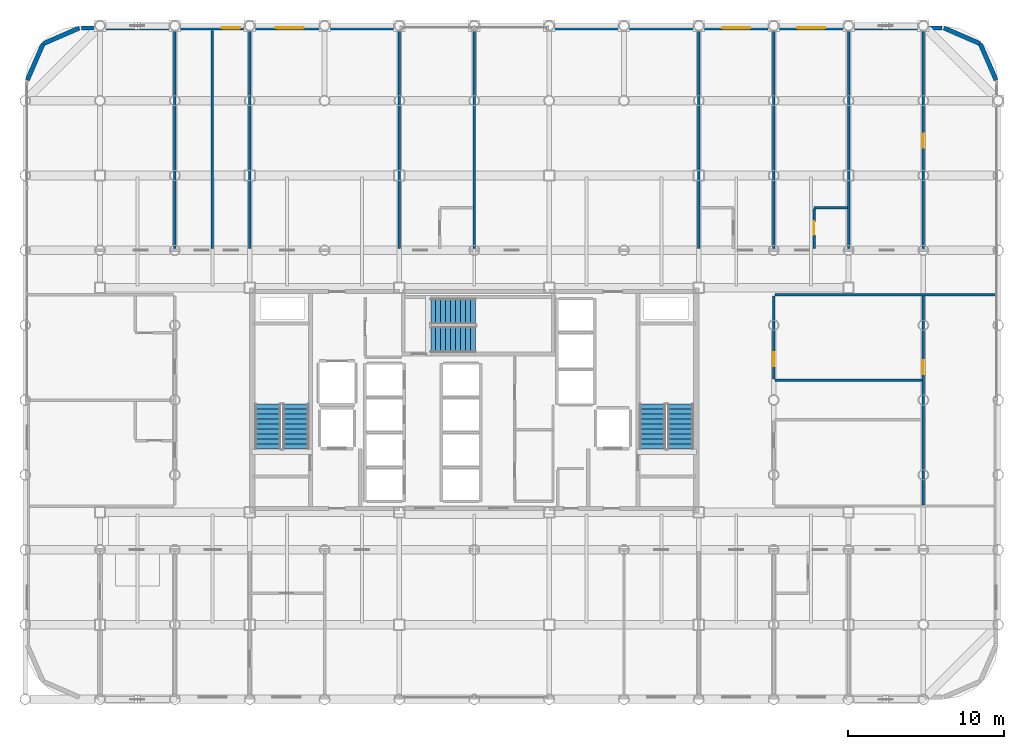
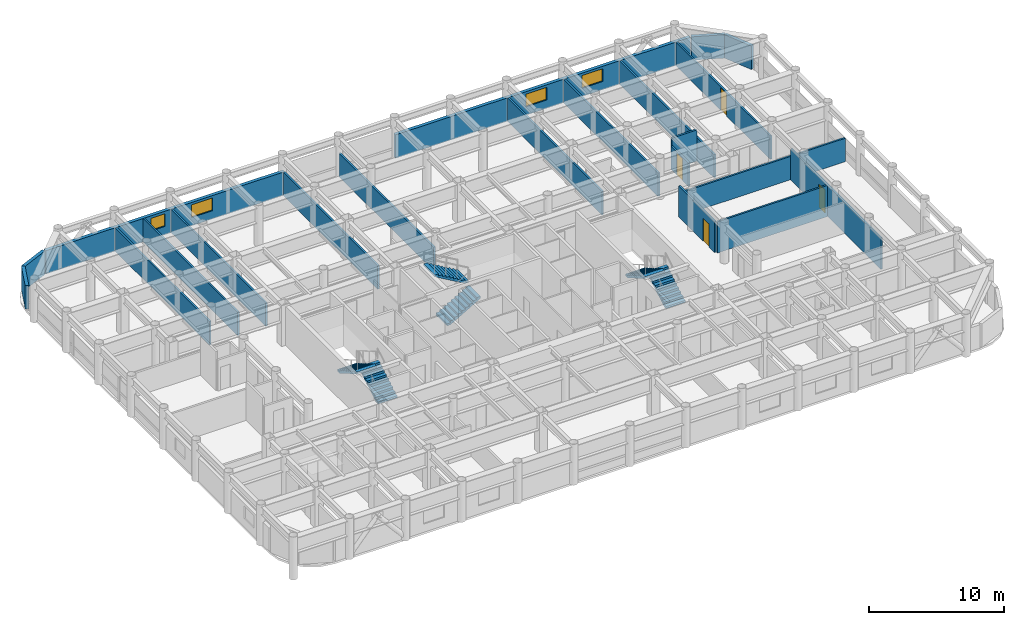
# One storey, part 20 of 22: 21 walls, 6 stair flights, 4 doors, 4 windows, 8 openings, 3 elements without a shape of their own.
"""IFC4 building model written with IfcOpenShell, lengths in metres."""

from ifc_helpers import new_model, si_unit, direction, frame, frame_2d, origin, place, context, subcontext, project, spatial, polyline, rectangle, outline, extrude, material, layer, layer_set, type_object, element, fill, aggregate, save


model = new_model("IFC4")

# Units and contexts
model_context = context("Model", 3, precision=1e-05, world=origin(), true_north=direction((0.0, 1.0)))
body_context = subcontext(model_context, "Body", "Model", "MODEL_VIEW")
ifc_project = project(units=[si_unit("LENGTHUNIT", "METRE"), si_unit("AREAUNIT", "SQUARE_METRE"), si_unit("VOLUMEUNIT", "CUBIC_METRE"), si_unit("PLANEANGLEUNIT", "RADIAN"), si_unit("MASSUNIT", "GRAM", prefix="KILO")], contexts=[model_context])

# Site, building, storey
site_placement = place(None, origin())
site = spatial("IfcSite", under=ifc_project, at=site_placement, CompositionType="ELEMENT")
building_placement = place(site_placement, origin())
building = spatial("IfcBuilding", under=site, at=building_placement, Name="Kallvorn Hotel Tower", CompositionType="ELEMENT")
storey_placement = place(building_placement, frame((0.0, 0.0, 95.199951171875)))
storey = spatial("IfcBuildingStorey", under=building, at=storey_placement, Name="L22", CompositionType="ELEMENT", Elevation=95.199951171875)

# Walls
ifc_material_1 = material(Name="Fire-rated double-layer acoustic gypsum drywall EI 60")
ifc_layer_1 = layer(ifc_material_1, 0.159912109375)
ifc_layer_set_1 = layer_set([ifc_layer_1], Name="WL_DEMISE_160")
wall_type_1 = type_object("IfcWallType", Name="WL_DEMISE_160", PredefinedType="PARTITIONING", material=ifc_layer_set_1)
wall_1_placement = place(storey_placement, frame((21.7900390625, 12.320068359375, 0.0), z_axis=(0.0, 0.0, 1.0), x_axis=(1.0, 0.0, 0.0)))
element("IfcWall", 1, at=wall_1_placement, inside=storey, type_object=wall_type_1, Name="L22 Suite 2207 Standard King Room Partition", PredefinedType="PARTITIONING", context=body_context, shape_type="SweptSolid", body=[
    extrude(rectangle(XDim=2.1298828125, YDim=0.159912109375, at=frame_2d((1.06494140625, 0.0))), origin(), (0.0, 0.0, 1.0), 2.820068359375),
])
wall_2_placement = place(storey_placement, frame((-4.800048828125, 9.719970703125, 0.0), z_axis=(0.0, 0.0, 1.0), x_axis=(0.0, 1.0, 0.0)))
element("IfcWall", 2, at=wall_2_placement, inside=storey, type_object=wall_type_1, Name="L22 Suite 2205 Standard King Room Partition", PredefinedType="PARTITIONING", context=body_context, shape_type="SweptSolid", body=[
    extrude(rectangle(XDim=13.989990234375, YDim=0.159912109375, at=frame_2d((6.9951171875, 0.0))), origin(), (0.0, 0.0, 1.0), 2.1201171875),
])
wall_3_placement = place(storey_placement, frame((0.0, 9.719970703125, 0.0), z_axis=(0.0, 0.0, 1.0), x_axis=(0.0, 1.0, 0.0)))
element("IfcWall", 3, at=wall_3_placement, inside=storey, type_object=wall_type_1, Name="L22 Suite 2205 Standard King Room Partition", PredefinedType="PARTITIONING", context=body_context, shape_type="SweptSolid", body=[
    extrude(rectangle(XDim=14.074951171875, YDim=0.159912109375, at=frame_2d((7.03759765625, 0.0))), origin(), (0.0, 0.0, 1.0), 2.1201171875),
])
for number, where, z_axis, x_axis, name in (
    (4, (14.39990234375, 9.719970703125, 0.0), (0.0, 0.0, 1.0), (0.0, 1.0, 0.0), "L22 Suite 2206 Standard King Room Partition"),
    (5, (19.199951171875, 9.719970703125, 0.0), (0.0, 0.0, 1.0), (0.0, 1.0, 0.0), "L22 Suite 2206 Standard King Room Partition"),
):
    element("IfcWall", number, at=place(storey_placement, frame(where, z_axis=z_axis, x_axis=x_axis)), inside=storey, type_object=wall_type_1, Name=name, PredefinedType="PARTITIONING", context=body_context, shape_type="SweptSolid", body=[
        extrude(rectangle(XDim=13.989990234375, YDim=0.159912109375, at=frame_2d((6.9951171875, 0.0))), origin(), (0.0, 0.0, 1.0), 2.1201171875),
    ])

# Wall, opening, door
wall_4_placement = place(storey_placement, frame((21.7900390625, 9.719970703125, 0.0), z_axis=(0.0, 0.0, 1.0), x_axis=(0.0, 1.0, 0.0)))
wall_4 = element("IfcWall", 6, at=wall_4_placement, inside=storey, type_object=wall_type_1, Name="L22 Suite 2207 Standard King Room Partition", PredefinedType="PARTITIONING", context=body_context, shape_type="SweptSolid", body=[
    extrude(rectangle(XDim=2.51513671875, YDim=0.159912109375, at=frame_2d((1.257568359375, 0.0))), origin(), (0.0, 0.0, 1.0), 2.1201171875),
])
opening_1_placement = place(wall_4_placement, frame((0.8701171875, 0.0, 0.0)))
opening_1 = element("IfcOpeningElement", 7, at=opening_1_placement, cuts=wall_4, Name="Opening BD-IA", PredefinedType="OPENING", context=body_context, shape_type="SweptSolid", body=[
    extrude(rectangle(XDim=0.860107421875, YDim=2.02001953125, at=frame_2d((0.43017578125, 1.010009765625))), frame((0.0, 0.094970703125, 0.0), z_axis=(0.0, -1.0, 0.0), x_axis=(1.0, 0.0, 0.0)), (0.0, 0.0, 1.0), 0.18994140625),
])
ifc_material_2 = material(Name="Solid-core walnut veneer fire-rated timber door leaf", Category="wood")
door_type_1 = type_object("IfcDoorType", Name="DR_BATH_860x2020", OperationType="NOTDEFINED", PredefinedType="DOOR", material=ifc_material_2)
door_1_placement = place(opening_1_placement, origin())
door_1 = element("IfcDoor", 8, at=door_1_placement, inside=storey, type_object=door_type_1, Name="L22 Suite 2207 En-Suite Bathroom Door", OperationType="SINGLE_SWING_LEFT", OverallHeight=2.02001953125, OverallWidth=0.860107421875, PredefinedType="DOOR", context=body_context, shape_type="SweptSolid", body=[
    extrude(rectangle(XDim=0.860107421875, YDim=2.02001953125, at=frame_2d((0.43017578125, 1.010009765625))), frame((0.0, 0.02490234375, 0.0), z_axis=(0.0, -1.0, 0.0), x_axis=(1.0, 0.0, 0.0)), (0.0, 0.0, 1.0), 0.050048828125),
])
fill(opening_1, door_1)

# Walls
wall_5_placement = place(storey_placement, frame((24.0, 9.719970703125, 0.0), z_axis=(0.0, 0.0, 1.0), x_axis=(0.0, 1.0, 0.0)))
element("IfcWall", 9, at=wall_5_placement, inside=storey, type_object=wall_type_1, Name="L22 Suite 2207 Standard King Room Partition", PredefinedType="PARTITIONING", context=body_context, shape_type="SweptSolid", body=[
    extrude(rectangle(XDim=13.989990234375, YDim=0.159912109375, at=frame_2d((6.9951171875, 0.0))), origin(), (0.0, 0.0, 1.0), 2.1201171875),
])
ifc_material_3 = material(Name="Precast basalt-clad insulated concrete wall C40/50", Category="masonry")
ifc_layer_2 = layer(ifc_material_3, 0.280029296875)
ifc_layer_set_2 = layer_set([ifc_layer_2], Name="WL_EXT_LOGGIA_280")
wall_type_2 = type_object("IfcWallType", Name="WL_EXT_LOGGIA_280", PredefinedType="SOLIDWALL", material=ifc_layer_set_2)
wall_6_placement = place(storey_placement, frame((33.4580078125, 20.520751953125, 0.0), z_axis=(0.0, 0.0, 1.0), x_axis=(-0.398792985289, 0.917040977756, 0.0)))
element("IfcWall", 10, at=wall_6_placement, inside=storey, type_object=wall_type_2, Name="L22 Rounded Corner Exterior Wall NE1", PredefinedType="SOLIDWALL", context=body_context, shape_type="SweptSolid", body=[
    extrude(rectangle(XDim=2.536376953125, YDim=0.280029296875, at=frame_2d((1.26806640625, 0.0))), origin(), (0.0, 0.0, 1.0), 2.1201171875),
])
for number, where, z_axis, x_axis, name in (
    (11, (32.446533203125, 22.8466796875, 0.0), (0.0, 0.0, 1.0), (-0.917060872934, 0.398747232384, 0.0), "L22 Rounded Corner Exterior Wall NE2"),
    (12, (-25.32080078125, 23.85791015625, 0.0), (0.0, 0.0, 1.0), (-0.917060872934, -0.398747232384, 0.0), "L22 Rounded Corner Exterior Wall NW1"),
):
    element("IfcWall", number, at=place(storey_placement, frame(where, z_axis=z_axis, x_axis=x_axis)), inside=storey, type_object=wall_type_2, Name=name, PredefinedType="SOLIDWALL", context=body_context, shape_type="SweptSolid", body=[
        extrude(rectangle(XDim=2.5361328125, YDim=0.280029296875, at=frame_2d((1.26806640625, 0.0))), origin(), (0.0, 0.0, 1.0), 2.1201171875),
    ])
wall_7_placement = place(storey_placement, frame((-27.646484375, 22.8466796875, 0.0), z_axis=(0.0, 0.0, 1.0), x_axis=(-0.398792985289, -0.917040977756, 0.0)))
element("IfcWall", 13, at=wall_7_placement, inside=storey, type_object=wall_type_2, Name="L22 Rounded Corner Exterior Wall NW2", PredefinedType="SOLIDWALL", context=body_context, shape_type="SweptSolid", body=[
    extrude(rectangle(XDim=2.536376953125, YDim=0.280029296875, at=frame_2d((1.26806640625, 0.0))), origin(), (0.0, 0.0, 1.0), 2.1201171875),
])

# Wall, openings, windows
wall_8_placement = place(storey_placement, frame((-25.199951171875, 23.860107421875, 0.0), z_axis=(0.0, 0.0, 1.0), x_axis=(1.0, 0.0, 0.0)))
wall_8 = element("IfcWall", 14, at=wall_8_placement, inside=storey, type_object=wall_type_2, Name="L22 Exterior Envelope Wall EW-L22-NW", PredefinedType="SOLIDWALL", context=body_context, shape_type="SweptSolid", body=[
    extrude(rectangle(XDim=20.449951171875, YDim=0.280029296875, at=frame_2d((10.22509765625, 0.0))), origin(), (0.0, 0.0, 1.0), 2.1201171875),
])
opening_2_placement = place(wall_8_placement, frame((9.0, 0.0, 0.75)))
opening_2 = element("IfcOpeningElement", 15, at=opening_2_placement, cuts=wall_8, Name="Opening W06A", PredefinedType="OPENING", context=body_context, shape_type="SweptSolid", body=[
    extrude(rectangle(XDim=1.199951171875, YDim=1.14990234375, at=frame_2d((0.60009765625, 0.574951171875))), frame((0.0, 0.155029296875, 0.0), z_axis=(0.0, -1.0, 0.0), x_axis=(1.0, 0.0, 0.0)), (0.0, 0.0, 1.0), 0.31005859375),
])
opening_3_placement = place(wall_8_placement, frame((12.47998046875, 0.0, 0.75)))
opening_3 = element("IfcOpeningElement", 16, at=opening_3_placement, cuts=wall_8, Name="Opening W04A", PredefinedType="OPENING", context=body_context, shape_type="SweptSolid", body=[
    extrude(rectangle(XDim=1.800048828125, YDim=1.14990234375, at=frame_2d((0.89990234375, 0.574951171875))), frame((0.0, 0.155029296875, 0.0), z_axis=(0.0, -1.0, 0.0), x_axis=(1.0, 0.0, 0.0)), (0.0, 0.0, 1.0), 0.31005859375),
])
ifc_material_4 = material(Name="Triple-glazed low-e acoustic solar-control dark glass", Category="glass")
window_type_1 = type_object("IfcWindowType", Name="WN_HTL_1200x1150", PartitioningType="SINGLE_PANEL", PredefinedType="WINDOW", material=ifc_material_4)
window_1_placement = place(opening_2_placement, origin())
window_1 = element("IfcWindow", 17, at=window_1_placement, inside=storey, type_object=window_type_1, Name="L22 Guestroom Exterior Window 09", OverallHeight=1.14990234375, OverallWidth=1.199951171875, PartitioningType="SINGLE_PANEL", PredefinedType="WINDOW", context=body_context, shape_type="SweptSolid", body=[
    extrude(rectangle(XDim=1.199951171875, YDim=1.14990234375, at=frame_2d((0.60009765625, 0.574951171875))), frame((0.0, 0.030029296875, 0.0), z_axis=(0.0, -1.0, 0.0), x_axis=(1.0, 0.0, 0.0)), (0.0, 0.0, 1.0), 0.06005859375),
])
fill(opening_2, window_1)
ifc_material_5 = material(Name="Double-glazed low-e solar-control dark glass", Category="glass")
window_type_2 = type_object("IfcWindowType", Name="WN_HTL_1800x1150", PartitioningType="SINGLE_PANEL", PredefinedType="WINDOW", material=ifc_material_5)
window_2_placement = place(opening_3_placement, origin())
window_2 = element("IfcWindow", 18, at=window_2_placement, inside=storey, type_object=window_type_2, Name="L22 Guestroom Exterior Window 10", OverallHeight=1.14990234375, OverallWidth=1.800048828125, PartitioningType="SINGLE_PANEL", PredefinedType="WINDOW", context=body_context, shape_type="SweptSolid", body=[
    extrude(rectangle(XDim=1.800048828125, YDim=1.14990234375, at=frame_2d((0.89990234375, 0.574951171875))), frame((0.0, 0.030029296875, 0.0), z_axis=(0.0, -1.0, 0.0), x_axis=(1.0, 0.0, 0.0)), (0.0, 0.0, 1.0), 0.06005859375),
])
fill(opening_3, window_2)

wall_9_placement = place(storey_placement, frame((4.75, 23.860107421875, 0.0), z_axis=(0.0, 0.0, 1.0), x_axis=(1.0, 0.0, 0.0)))
wall_9 = element("IfcWall", 19, at=wall_9_placement, inside=storey, type_object=wall_type_2, Name="L22 Exterior Envelope Wall EW-L22-NE", PredefinedType="SOLIDWALL", context=body_context, shape_type="SweptSolid", body=[
    extrude(rectangle(XDim=25.25, YDim=0.280029296875, at=frame_2d((12.625, 0.0))), origin(), (0.0, 0.0, 1.0), 2.1201171875),
])
opening_4_placement = place(wall_9_placement, frame((11.14990234375, 0.0, 0.75)))
opening_4 = element("IfcOpeningElement", 20, at=opening_4_placement, cuts=wall_9, Name="Opening W04A", PredefinedType="OPENING", context=body_context, shape_type="SweptSolid", body=[
    extrude(rectangle(XDim=1.800048828125, YDim=1.14990234375, at=frame_2d((0.89990234375, 0.574951171875))), frame((0.0, 0.155029296875, 0.0), z_axis=(0.0, -1.0, 0.0), x_axis=(1.0, 0.0, 0.0)), (0.0, 0.0, 1.0), 0.31005859375),
])
opening_5_placement = place(wall_9_placement, frame((15.949951171875, 0.0, 0.75)))
opening_5 = element("IfcOpeningElement", 21, at=opening_5_placement, cuts=wall_9, Name="Opening W04A", PredefinedType="OPENING", context=body_context, shape_type="SweptSolid", body=[
    extrude(rectangle(XDim=1.800048828125, YDim=1.14990234375, at=frame_2d((0.89990234375, 0.574951171875))), frame((0.0, 0.155029296875, 0.0), z_axis=(0.0, -1.0, 0.0), x_axis=(1.0, 0.0, 0.0)), (0.0, 0.0, 1.0), 0.31005859375),
])
window_3_placement = place(opening_4_placement, origin())
window_3 = element("IfcWindow", 22, at=window_3_placement, inside=storey, type_object=window_type_2, Name="L22 Guestroom Exterior Window 11", OverallHeight=1.14990234375, OverallWidth=1.800048828125, PartitioningType="SINGLE_PANEL", PredefinedType="WINDOW", context=body_context, shape_type="SweptSolid", body=[
    extrude(rectangle(XDim=1.800048828125, YDim=1.14990234375, at=frame_2d((0.89990234375, 0.574951171875))), frame((0.0, 0.030029296875, 0.0), z_axis=(0.0, -1.0, 0.0), x_axis=(1.0, 0.0, 0.0)), (0.0, 0.0, 1.0), 0.06005859375),
])
fill(opening_4, window_3)
window_4_placement = place(opening_5_placement, origin())
window_4 = element("IfcWindow", 23, at=window_4_placement, inside=storey, type_object=window_type_2, Name="L22 Guestroom Exterior Window 12", OverallHeight=1.14990234375, OverallWidth=1.800048828125, PartitioningType="SINGLE_PANEL", PredefinedType="WINDOW", context=body_context, shape_type="SweptSolid", body=[
    extrude(rectangle(XDim=1.800048828125, YDim=1.14990234375, at=frame_2d((0.89990234375, 0.574951171875))), frame((0.0, 0.030029296875, 0.0), z_axis=(0.0, -1.0, 0.0), x_axis=(1.0, 0.0, 0.0)), (0.0, 0.0, 1.0), 0.06005859375),
])
fill(opening_5, window_4)

# Walls
ifc_material_6 = material(Name="Fire-rated double-layer acoustic gypsum drywall EI 60")
ifc_layer_3 = layer(ifc_material_6, 0.14990234375)
ifc_layer_set_3 = layer_set([ifc_layer_3], Name="WL_PART_150")
wall_type_3 = type_object("IfcWallType", Name="WL_PART_150", PredefinedType="PARTITIONING", material=ifc_layer_set_3)
wall_10_placement = place(storey_placement, frame((19.280029296875, 1.260009765625, 0.0), z_axis=(0.0, 0.0, 1.0), x_axis=(1.0, 0.0, 0.0)))
element("IfcWall", 24, at=wall_10_placement, inside=storey, type_object=wall_type_3, Name="L22 L22 East Inner Screening Salon Partition", PredefinedType="PARTITIONING", context=body_context, shape_type="SweptSolid", body=[
    extrude(rectangle(XDim=9.43994140625, YDim=0.14990234375, at=frame_2d((4.719970703125, 0.0))), origin(), (0.0, 0.0, 1.0), 2.820068359375),
])
wall_11_placement = place(storey_placement, frame((19.280029296875, 6.75, 0.0), z_axis=(0.0, 0.0, 1.0), x_axis=(1.0, 0.0, 0.0)))
element("IfcWall", 25, at=wall_11_placement, inside=storey, type_object=wall_type_3, Name="L22 L22 East Inner Screening Salon Partition", PredefinedType="PARTITIONING", context=body_context, shape_type="SweptSolid", body=[
    extrude(rectangle(XDim=14.14990234375, YDim=0.14990234375, at=frame_2d((7.074951171875, 0.0))), origin(), (0.0, 0.0, 1.0), 2.1201171875),
])
for number, where, z_axis, x_axis, name in (
    (26, (-19.199951171875, 9.719970703125, 0.0), (0.0, 0.0, 1.0), (0.0, 1.0, 0.0), "L22 Housekeeping and Linen Room Partition"),
    (27, (-16.800048828125, 9.719970703125, 0.0), (0.0, 0.0, 1.0), (0.0, 1.0, 0.0), "L22 Guest Tea and Refreshment Bar Partition"),
    (28, (-14.39990234375, 9.719970703125, 0.0), (0.0, 0.0, 1.0), (0.0, 1.0, 0.0), "L22 Guest Tea and Refreshment Bar Partition"),
):
    element("IfcWall", number, at=place(storey_placement, frame(where, z_axis=z_axis, x_axis=x_axis)), inside=storey, type_object=wall_type_3, Name=name, PredefinedType="PARTITIONING", context=body_context, shape_type="SweptSolid", body=[
        extrude(rectangle(XDim=13.989990234375, YDim=0.14990234375, at=frame_2d((6.9951171875, 0.0))), origin(), (0.0, 0.0, 1.0), 2.1201171875),
    ])

# Wall, opening, door
wall_12_placement = place(storey_placement, frame((19.199951171875, 1.344970703125, 0.0), z_axis=(0.0, 0.0, 1.0), x_axis=(0.0, 1.0, 0.0)))
wall_12 = element("IfcWall", 29, at=wall_12_placement, inside=storey, type_object=wall_type_3, Name="L22 L22 East Inner Screening Salon Partition", PredefinedType="PARTITIONING", context=body_context, shape_type="SweptSolid", body=[
    extrude(rectangle(XDim=5.320068359375, YDim=0.14990234375, at=frame_2d((2.66015625, 0.0))), origin(), (0.0, 0.0, 1.0), 2.820068359375),
])
opening_6_placement = place(wall_12_placement, frame((0.81689453125, 0.0, 0.0)))
opening_6 = element("IfcOpeningElement", 30, at=opening_6_placement, cuts=wall_12, Name="Opening SVD1", PredefinedType="OPENING", context=body_context, shape_type="SweptSolid", body=[
    extrude(rectangle(XDim=0.89990234375, YDim=2.10009765625, at=frame_2d((0.449951171875, 1.050048828125))), frame((0.0, 0.08984375, 0.0), z_axis=(0.0, -1.0, 0.0), x_axis=(1.0, 0.0, 0.0)), (0.0, 0.0, 1.0), 0.179931640625),
])
ifc_material_7 = material(Name="Galvanised painted steel fire-rated door assembly", Category="steel")
door_type_2 = type_object("IfcDoorType", Name="DR_SERV_900x2100", OperationType="NOTDEFINED", PredefinedType="DOOR", material=ifc_material_7)
door_2_placement = place(opening_6_placement, origin())
door_2 = element("IfcDoor", 31, at=door_2_placement, inside=storey, type_object=door_type_2, Name="L22 L22 East Inner Screening Salon Door", OperationType="SINGLE_SWING_RIGHT", OverallHeight=2.10009765625, OverallWidth=0.89990234375, PredefinedType="DOOR", context=body_context, shape_type="SweptSolid", body=[
    extrude(rectangle(XDim=0.89990234375, YDim=2.10009765625, at=frame_2d((0.449951171875, 1.050048828125))), frame((0.0, 0.02490234375, 0.0), z_axis=(0.0, -1.0, 0.0), x_axis=(1.0, 0.0, 0.0)), (0.0, 0.0, 1.0), 0.050048828125),
])
fill(opening_6, door_2)

wall_13_placement = place(storey_placement, frame((28.800048828125, -6.715087890625, 0.0), z_axis=(0.0, 0.0, 1.0), x_axis=(0.0, 1.0, 0.0)))
wall_13 = element("IfcWall", 32, at=wall_13_placement, inside=storey, type_object=wall_type_3, Name="L22 L22 East Inner Club Bar Partition", PredefinedType="PARTITIONING", context=body_context, shape_type="SweptSolid", body=[
    extrude(rectangle(XDim=13.380126953125, YDim=0.14990234375, at=frame_2d((6.68994140625, 0.0))), origin(), (0.0, 0.0, 1.0), 2.820068359375),
])
opening_7_placement = place(wall_13_placement, frame((8.37939453125, 0.0, 0.0)))
opening_7 = element("IfcOpeningElement", 33, at=opening_7_placement, cuts=wall_13, Name="Opening SVD1", PredefinedType="OPENING", context=body_context, shape_type="SweptSolid", body=[
    extrude(rectangle(XDim=0.89990234375, YDim=2.10009765625, at=frame_2d((0.449951171875, 1.050048828125))), frame((0.0, 0.08984375, 0.0), z_axis=(0.0, -1.0, 0.0), x_axis=(1.0, 0.0, 0.0)), (0.0, 0.0, 1.0), 0.179931640625),
])
door_3_placement = place(opening_7_placement, origin())
door_3 = element("IfcDoor", 34, at=door_3_placement, inside=storey, type_object=door_type_2, Name="L22 L22 E Cordillera Panorama Dining Salon Door", OperationType="SINGLE_SWING_RIGHT", OverallHeight=2.10009765625, OverallWidth=0.89990234375, PredefinedType="DOOR", context=body_context, shape_type="SweptSolid", body=[
    extrude(rectangle(XDim=0.89990234375, YDim=2.10009765625, at=frame_2d((0.449951171875, 1.050048828125))), frame((0.0, 0.02490234375, 0.0), z_axis=(0.0, -1.0, 0.0), x_axis=(1.0, 0.0, 0.0)), (0.0, 0.0, 1.0), 0.050048828125),
])
fill(opening_7, door_3)

wall_14_placement = place(storey_placement, frame((28.800048828125, 9.719970703125, 0.0), z_axis=(0.0, 0.0, 1.0), x_axis=(0.0, 1.0, 0.0)))
wall_14 = element("IfcWall", 35, at=wall_14_placement, inside=storey, type_object=wall_type_3, Name="L22 L22 North-East Reading Club A Partition", PredefinedType="PARTITIONING", context=body_context, shape_type="SweptSolid", body=[
    extrude(rectangle(XDim=13.989990234375, YDim=0.14990234375, at=frame_2d((6.9951171875, 0.0))), origin(), (0.0, 0.0, 1.0), 2.1201171875),
])
opening_8_placement = place(wall_14_placement, frame((6.465087890625, 0.0, 0.0)))
opening_8 = element("IfcOpeningElement", 36, at=opening_8_placement, cuts=wall_14, Name="Opening SVD1A", PredefinedType="OPENING", context=body_context, shape_type="SweptSolid", body=[
    extrude(rectangle(XDim=0.89990234375, YDim=2.02001953125, at=frame_2d((0.449951171875, 1.010009765625))), frame((0.0, 0.08984375, 0.0), z_axis=(0.0, -1.0, 0.0), x_axis=(1.0, 0.0, 0.0)), (0.0, 0.0, 1.0), 0.179931640625),
])
ifc_material_8 = material(Name="Galvanised painted steel fire-rated door assembly", Category="steel")
door_type_3 = type_object("IfcDoorType", Name="DR_SERV_900x2020", OperationType="NOTDEFINED", PredefinedType="DOOR", material=ifc_material_8)
door_4_placement = place(opening_8_placement, origin())
door_4 = element("IfcDoor", 37, at=door_4_placement, inside=storey, type_object=door_type_3, Name="L22 L22 North-East Reading Club B Door", OperationType="SINGLE_SWING_LEFT", OverallHeight=2.02001953125, OverallWidth=0.89990234375, PredefinedType="DOOR", context=body_context, shape_type="SweptSolid", body=[
    extrude(rectangle(XDim=0.89990234375, YDim=2.02001953125, at=frame_2d((0.449951171875, 1.010009765625))), frame((0.0, 0.02490234375, 0.0), z_axis=(0.0, -1.0, 0.0), x_axis=(1.0, 0.0, 0.0)), (0.0, 0.0, 1.0), 0.050048828125),
])
fill(opening_8, door_4)

# Stair, stair flights
ifc_material_9 = material(Name="Precast concrete C40/50", Category="concrete")
stair_type = type_object("IfcStairType", Name="STR_CORE_DOGLEG", PredefinedType="HALF_TURN_STAIR", material=ifc_material_9)
stair_1_placement = place(storey_placement, origin())
stair_1 = element("IfcStair", 38, at=stair_1_placement, inside=storey, type_object=stair_type, Name="L22 Exit stair ST1", PredefinedType="HALF_TURN_STAIR")
ifc_material_10 = material(Name="Precast concrete C40/50", Category="concrete")
stair_flight_type = type_object("IfcStairFlightType", Name="FLT_CORE_1660", PredefinedType="STRAIGHT", material=ifc_material_10)
stair_flight_1_placement = place(storey_placement, frame((-11.429931640625, -3.139892578125, 0.0), z_axis=(0.0, 0.0, 1.0), x_axis=(0.0, 1.0, 0.0)))
stair_flight_1 = element("IfcStairFlight", 39, at=stair_flight_1_placement, type_object=stair_flight_type, Name="ST1 flight 1", NumberOfRisers=10, NumberOfTreads=9, PredefinedType="STRAIGHT", RiserHeight=0.185, TreadLength=0.32, context=body_context, shape_type="SweptSolid", body=[
    extrude(outline(polyline([(0.0, 0.0), (0.0, 0.18505859375), (0.320068359375, 0.18505859375), (0.320068359375, 0.3701171875), (0.639892578125, 0.3701171875), (0.639892578125, 0.554931640625), (0.9599609375, 0.554931640625), (0.9599609375, 0.739990234375), (1.280029296875, 0.739990234375), (1.280029296875, 0.925048828125), (1.60009765625, 0.925048828125), (1.60009765625, 1.110107421875), (1.919921875, 1.110107421875), (1.919921875, 1.294921875), (2.239990234375, 1.294921875), (2.239990234375, 1.47998046875), (2.56005859375, 1.47998046875), (2.56005859375, 1.6650390625), (2.8798828125, 1.6650390625), (2.8798828125, 1.85009765625), (2.8798828125, 1.491943359375), (0.299560546875, 0.0), (0.0, 0.0)])), frame((0.0, 0.830078125, 0.0), z_axis=(0.0, -1.0, 0.0), x_axis=(1.0, 0.0, 0.0)), (0.0, 0.0, 1.0), 1.659912109375),
])
stair_flight_2_placement = place(storey_placement, frame((-13.22998046875, -0.260009765625, 1.85009765625), z_axis=(0.0, 0.0, 1.0), x_axis=(0.0, -1.0, 0.0)))
stair_flight_2 = element("IfcStairFlight", 40, at=stair_flight_2_placement, type_object=stair_flight_type, Name="ST1 flight 2", NumberOfRisers=10, NumberOfTreads=9, PredefinedType="STRAIGHT", RiserHeight=0.185, TreadLength=0.32, context=body_context, shape_type="SweptSolid", body=[
    extrude(outline(polyline([(0.0, 0.0), (0.0, 0.18505859375), (0.320068359375, 0.18505859375), (0.320068359375, 0.3701171875), (0.639892578125, 0.3701171875), (0.639892578125, 0.554931640625), (0.9599609375, 0.554931640625), (0.9599609375, 0.739990234375), (1.280029296875, 0.739990234375), (1.280029296875, 0.925048828125), (1.60009765625, 0.925048828125), (1.60009765625, 1.110107421875), (1.919921875, 1.110107421875), (1.919921875, 1.294921875), (2.239990234375, 1.294921875), (2.239990234375, 1.47998046875), (2.56005859375, 1.47998046875), (2.56005859375, 1.6650390625), (2.8798828125, 1.6650390625), (2.8798828125, 1.85009765625), (2.8798828125, 1.491943359375), (0.299560546875, 0.0), (0.0, 0.0)])), frame((0.0, 0.830078125, 0.0), z_axis=(0.0, -1.0, 0.0), x_axis=(1.0, 0.0, 0.0)), (0.0, 0.0, 1.0), 1.659912109375),
])
aggregate(stair_1, [stair_flight_1, stair_flight_2])

stair_2_placement = place(storey_placement, origin())
stair_2 = element("IfcStair", 41, at=stair_2_placement, inside=storey, type_object=stair_type, Name="L22 Exit stair ST2", PredefinedType="HALF_TURN_STAIR")
stair_flight_3_placement = place(storey_placement, frame((13.22998046875, -3.139892578125, 0.0), z_axis=(0.0, 0.0, 1.0), x_axis=(0.0, 1.0, 0.0)))
stair_flight_3 = element("IfcStairFlight", 42, at=stair_flight_3_placement, type_object=stair_flight_type, Name="ST2 flight 1", NumberOfRisers=10, NumberOfTreads=9, PredefinedType="STRAIGHT", RiserHeight=0.185, TreadLength=0.32, context=body_context, shape_type="SweptSolid", body=[
    extrude(outline(polyline([(0.0, 0.0), (0.0, 0.18505859375), (0.320068359375, 0.18505859375), (0.320068359375, 0.3701171875), (0.639892578125, 0.3701171875), (0.639892578125, 0.554931640625), (0.9599609375, 0.554931640625), (0.9599609375, 0.739990234375), (1.280029296875, 0.739990234375), (1.280029296875, 0.925048828125), (1.60009765625, 0.925048828125), (1.60009765625, 1.110107421875), (1.919921875, 1.110107421875), (1.919921875, 1.294921875), (2.239990234375, 1.294921875), (2.239990234375, 1.47998046875), (2.56005859375, 1.47998046875), (2.56005859375, 1.6650390625), (2.8798828125, 1.6650390625), (2.8798828125, 1.85009765625), (2.8798828125, 1.491943359375), (0.299560546875, 0.0), (0.0, 0.0)])), frame((0.0, 0.830078125, 0.0), z_axis=(0.0, -1.0, 0.0), x_axis=(1.0, 0.0, 0.0)), (0.0, 0.0, 1.0), 1.659912109375),
])
stair_flight_4_placement = place(storey_placement, frame((11.429931640625, -0.260009765625, 1.85009765625), z_axis=(0.0, 0.0, 1.0), x_axis=(0.0, -1.0, 0.0)))
stair_flight_4 = element("IfcStairFlight", 43, at=stair_flight_4_placement, type_object=stair_flight_type, Name="ST2 flight 2", NumberOfRisers=10, NumberOfTreads=9, PredefinedType="STRAIGHT", RiserHeight=0.185, TreadLength=0.32, context=body_context, shape_type="SweptSolid", body=[
    extrude(outline(polyline([(0.0, 0.0), (0.0, 0.18505859375), (0.320068359375, 0.18505859375), (0.320068359375, 0.3701171875), (0.639892578125, 0.3701171875), (0.639892578125, 0.554931640625), (0.9599609375, 0.554931640625), (0.9599609375, 0.739990234375), (1.280029296875, 0.739990234375), (1.280029296875, 0.925048828125), (1.60009765625, 0.925048828125), (1.60009765625, 1.110107421875), (1.919921875, 1.110107421875), (1.919921875, 1.294921875), (2.239990234375, 1.294921875), (2.239990234375, 1.47998046875), (2.56005859375, 1.47998046875), (2.56005859375, 1.6650390625), (2.8798828125, 1.6650390625), (2.8798828125, 1.85009765625), (2.8798828125, 1.491943359375), (0.299560546875, 0.0), (0.0, 0.0)])), frame((0.0, 0.830078125, 0.0), z_axis=(0.0, -1.0, 0.0), x_axis=(1.0, 0.0, 0.0)), (0.0, 0.0, 1.0), 1.659912109375),
])
aggregate(stair_2, [stair_flight_3, stair_flight_4])

stair_3_placement = place(storey_placement, origin())
stair_3 = element("IfcStair", 44, at=stair_3_placement, inside=storey, type_object=stair_type, Name="L22 Exit stair ST3", PredefinedType="HALF_TURN_STAIR")
stair_flight_5_placement = place(storey_placement, frame((-2.7900390625, 3.8798828125, 0.0), z_axis=(0.0, 0.0, 1.0), x_axis=(1.0, 0.0, 0.0)))
stair_flight_5 = element("IfcStairFlight", 45, at=stair_flight_5_placement, type_object=stair_flight_type, Name="ST3 flight 1", NumberOfRisers=10, NumberOfTreads=9, PredefinedType="STRAIGHT", RiserHeight=0.185, TreadLength=0.32, context=body_context, shape_type="SweptSolid", body=[
    extrude(outline(polyline([(0.0, 0.0), (0.0, 0.18505859375), (0.320068359375, 0.18505859375), (0.320068359375, 0.3701171875), (0.639892578125, 0.3701171875), (0.639892578125, 0.554931640625), (0.9599609375, 0.554931640625), (0.9599609375, 0.739990234375), (1.280029296875, 0.739990234375), (1.280029296875, 0.925048828125), (1.60009765625, 0.925048828125), (1.60009765625, 1.110107421875), (1.919921875, 1.110107421875), (1.919921875, 1.294921875), (2.239990234375, 1.294921875), (2.239990234375, 1.47998046875), (2.56005859375, 1.47998046875), (2.56005859375, 1.6650390625), (2.8798828125, 1.6650390625), (2.8798828125, 1.85009765625), (2.8798828125, 1.491943359375), (0.299560546875, 0.0), (0.0, 0.0)])), frame((0.0, 0.830078125, 0.0), z_axis=(0.0, -1.0, 0.0), x_axis=(1.0, 0.0, 0.0)), (0.0, 0.0, 1.0), 1.659912109375),
])
stair_flight_6_placement = place(storey_placement, frame((0.090087890625, 5.679931640625, 1.85009765625), z_axis=(0.0, 0.0, 1.0), x_axis=(-1.0, 0.0, 0.0)))
stair_flight_6 = element("IfcStairFlight", 46, at=stair_flight_6_placement, type_object=stair_flight_type, Name="ST3 flight 2", NumberOfRisers=10, NumberOfTreads=9, PredefinedType="STRAIGHT", RiserHeight=0.185, TreadLength=0.32, context=body_context, shape_type="SweptSolid", body=[
    extrude(outline(polyline([(0.0, 0.0), (0.0, 0.18505859375), (0.320068359375, 0.18505859375), (0.320068359375, 0.3701171875), (0.639892578125, 0.3701171875), (0.639892578125, 0.554931640625), (0.9599609375, 0.554931640625), (0.9599609375, 0.739990234375), (1.280029296875, 0.739990234375), (1.280029296875, 0.925048828125), (1.60009765625, 0.925048828125), (1.60009765625, 1.110107421875), (1.919921875, 1.110107421875), (1.919921875, 1.294921875), (2.239990234375, 1.294921875), (2.239990234375, 1.47998046875), (2.56005859375, 1.47998046875), (2.56005859375, 1.6650390625), (2.8798828125, 1.6650390625), (2.8798828125, 1.85009765625), (2.8798828125, 1.491943359375), (0.299560546875, 0.0), (0.0, 0.0)])), frame((0.0, 0.830078125, 0.0), z_axis=(0.0, -1.0, 0.0), x_axis=(1.0, 0.0, 0.0)), (0.0, 0.0, 1.0), 1.659912109375),
])
aggregate(stair_3, [stair_flight_5, stair_flight_6])

save(model, "model.ifc")
